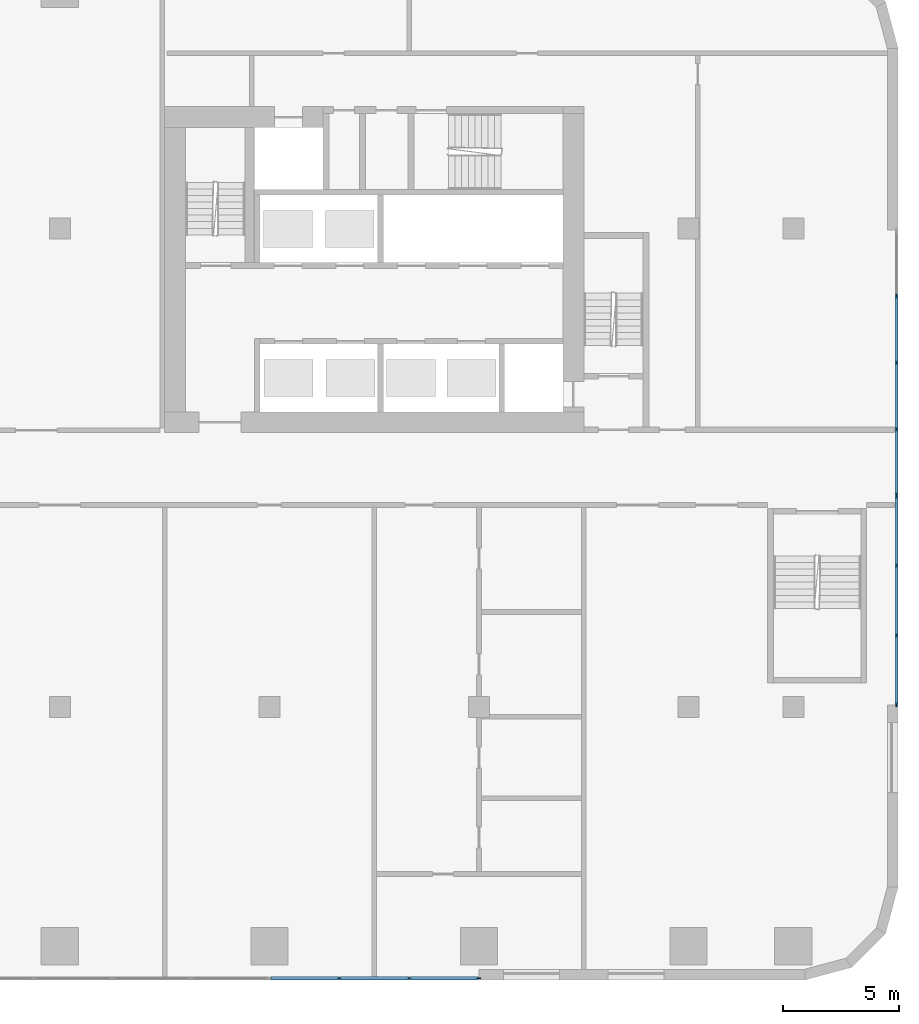
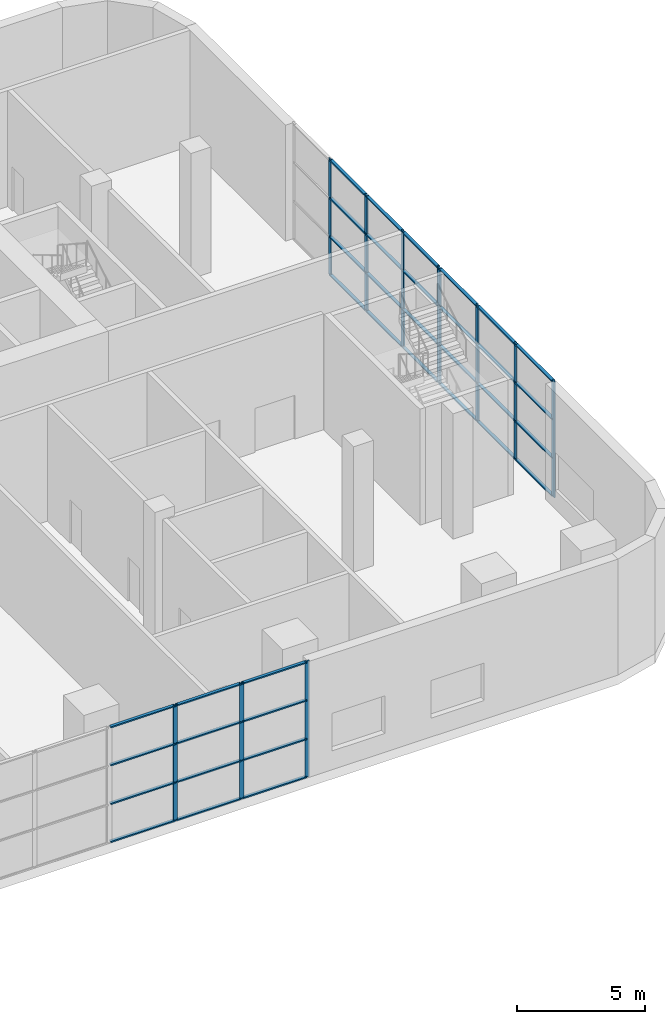
# One storey, part 7 of 27: 47 members, 3 elements without a shape of their own.
"""IFC4 building model written with IfcOpenShell, lengths in metres."""

from ifc_helpers import new_model, si_unit, direction, frame, origin, origin_2d, place, context, subcontext, project, spatial, rectangle, extrude, material, material_profile, profile_set, type_object, element, aggregate, save


model = new_model("IFC4")

# Units and contexts
model_context = context("Model", 3, precision=1e-05, world=origin(), true_north=direction((0.0, 1.0)))
body_context = subcontext(model_context, "Body", "Model", "MODEL_VIEW")
ifc_project = project(units=[si_unit("LENGTHUNIT", "METRE"), si_unit("AREAUNIT", "SQUARE_METRE"), si_unit("VOLUMEUNIT", "CUBIC_METRE"), si_unit("PLANEANGLEUNIT", "RADIAN"), si_unit("MASSUNIT", "GRAM", prefix="KILO")], contexts=[model_context])

# Site, building, storey
site_placement = place(None, origin())
site = spatial("IfcSite", under=ifc_project, at=site_placement, CompositionType="ELEMENT")
building_placement = place(site_placement, origin())
building = spatial("IfcBuilding", under=site, at=building_placement, Name="Kajstack Hotel Tower", CompositionType="ELEMENT")
storey_placement = place(building_placement, frame((0.0, 0.0, 11.0)))
storey = spatial("IfcBuildingStorey", under=building, at=storey_placement, Name="L01", CompositionType="ELEMENT", Elevation=11.0)

# Curtain wall, members
ifc_material_1 = material(Name="Aluminium-framed curtain wall, low-iron glass", Category="aluminium")
curtain_wall_type = type_object("IfcCurtainWallType", Name="CW-LOBBY", PredefinedType="NOTDEFINED", material=ifc_material_1)
curtain_wall_1_placement = place(storey_placement, origin())
curtain_wall_1 = element("IfcCurtainWall", 1, at=curtain_wall_1_placement, inside=storey, type_object=curtain_wall_type, Name="Curtain wall CU1 L01-03-02-3", PredefinedType="NOTDEFINED")
ifc_material_2 = material(Name="Aluminium", Category="aluminium")
ifc_material_profile_1 = material_profile(ifc_material_2, rectangle(XDim=0.06005859375, YDim=0.199951171875, at=origin_2d()), Name="Aluminium mullion 60 x 200")
ifc_profile_set_1 = profile_set([ifc_material_profile_1], Name="Aluminium")
member_type_1 = type_object("IfcMemberType", Name="CW-M-LOBBY", PredefinedType="MULLION", material=ifc_profile_set_1)
member_1_placement = place(storey_placement, frame((21.0, -21.925048828125, 0.0), z_axis=(0.0, 0.0, 1.0), x_axis=(0.0, 1.0, 0.0)))
member_1 = element("IfcMember", 2, at=member_1_placement, type_object=member_type_1, Name="CU1 mullion 2", PredefinedType="MULLION", context=body_context, shape_type="SweptSolid", body=[
    extrude(rectangle(XDim=0.06005859375, YDim=0.199951171875, at=origin_2d()), origin(), (0.0, 0.0, 1.0), 5.550048828125),
])
member_2_placement = place(storey_placement, frame((24.0, -21.925048828125, 0.0), z_axis=(0.0, 0.0, 1.0), x_axis=(0.0, 1.0, 0.0)))
member_2 = element("IfcMember", 3, at=member_2_placement, type_object=member_type_1, Name="CU1 mullion 3", PredefinedType="MULLION", context=body_context, shape_type="SweptSolid", body=[
    extrude(rectangle(XDim=0.06005859375, YDim=0.199951171875, at=origin_2d()), origin(), (0.0, 0.0, 1.0), 5.550048828125),
])
member_3_placement = place(storey_placement, frame((26.969970703125, -21.925048828125, 0.0), z_axis=(0.0, 0.0, 1.0), x_axis=(0.0, 1.0, 0.0)))
member_3 = element("IfcMember", 4, at=member_3_placement, type_object=member_type_1, Name="CU1 mullion 4", PredefinedType="MULLION", context=body_context, shape_type="SweptSolid", body=[
    extrude(rectangle(XDim=0.06005859375, YDim=0.199951171875, at=origin_2d()), origin(), (0.0, 0.0, 1.0), 5.550048828125),
])

curtain_wall_2_placement = place(storey_placement, origin())
curtain_wall_2 = element("IfcCurtainWall", 5, at=curtain_wall_2_placement, inside=storey, type_object=curtain_wall_type, Name="Curtain wall CU1 L01-07-01-0", PredefinedType="NOTDEFINED")
member_4_placement = place(storey_placement, frame((44.925048828125, -10.169921875, 0.0), z_axis=(0.0, 0.0, 1.0), x_axis=(-1.0, 0.0, 0.0)))
member_4 = element("IfcMember", 6, at=member_4_placement, type_object=member_type_1, Name="CU1 mullion 1", PredefinedType="MULLION", context=body_context, shape_type="SweptSolid", body=[
    extrude(rectangle(XDim=0.06005859375, YDim=0.199951171875, at=origin_2d()), origin(), (0.0, 0.0, 1.0), 5.550048828125),
])
member_5_placement = place(storey_placement, frame((44.925048828125, -7.199951171875, 0.0), z_axis=(0.0, 0.0, 1.0), x_axis=(-1.0, 0.0, 0.0)))
member_5 = element("IfcMember", 7, at=member_5_placement, type_object=member_type_1, Name="CU1 mullion 2", PredefinedType="MULLION", context=body_context, shape_type="SweptSolid", body=[
    extrude(rectangle(XDim=0.06005859375, YDim=0.199951171875, at=origin_2d()), origin(), (0.0, 0.0, 1.0), 5.550048828125),
])
member_6_placement = place(storey_placement, frame((44.925048828125, -4.199951171875, 0.0), z_axis=(0.0, 0.0, 1.0), x_axis=(-1.0, 0.0, 0.0)))
member_6 = element("IfcMember", 8, at=member_6_placement, type_object=member_type_1, Name="CU1 mullion 3", PredefinedType="MULLION", context=body_context, shape_type="SweptSolid", body=[
    extrude(rectangle(XDim=0.06005859375, YDim=0.199951171875, at=origin_2d()), origin(), (0.0, 0.0, 1.0), 5.550048828125),
])
member_7_placement = place(storey_placement, frame((44.925048828125, -1.22998046875, 0.0), z_axis=(0.0, 0.0, 1.0), x_axis=(-1.0, 0.0, 0.0)))
member_7 = element("IfcMember", 9, at=member_7_placement, type_object=member_type_1, Name="CU1 mullion 4", PredefinedType="MULLION", context=body_context, shape_type="SweptSolid", body=[
    extrude(rectangle(XDim=0.06005859375, YDim=0.199951171875, at=origin_2d()), origin(), (0.0, 0.0, 1.0), 5.550048828125),
])

curtain_wall_3_placement = place(storey_placement, origin())
curtain_wall_3 = element("IfcCurtainWall", 10, at=curtain_wall_3_placement, inside=storey, type_object=curtain_wall_type, Name="Curtain wall CU1 L01-07-01-1", PredefinedType="NOTDEFINED")
member_8_placement = place(storey_placement, frame((44.925048828125, -1.169921875, 0.0), z_axis=(0.0, 0.0, 1.0), x_axis=(-1.0, 0.0, 0.0)))
member_8 = element("IfcMember", 11, at=member_8_placement, type_object=member_type_1, Name="CU1 mullion 1", PredefinedType="MULLION", context=body_context, shape_type="SweptSolid", body=[
    extrude(rectangle(XDim=0.06005859375, YDim=0.199951171875, at=origin_2d()), origin(), (0.0, 0.0, 1.0), 5.550048828125),
])
member_9_placement = place(storey_placement, frame((44.925048828125, 1.64990234375, 0.0), z_axis=(0.0, 0.0, 1.0), x_axis=(-1.0, 0.0, 0.0)))
member_9 = element("IfcMember", 12, at=member_9_placement, type_object=member_type_1, Name="CU1 mullion 2", PredefinedType="MULLION", context=body_context, shape_type="SweptSolid", body=[
    extrude(rectangle(XDim=0.06005859375, YDim=0.199951171875, at=origin_2d()), origin(), (0.0, 0.0, 1.0), 5.550048828125),
])
member_10_placement = place(storey_placement, frame((44.925048828125, 4.5, 0.0), z_axis=(0.0, 0.0, 1.0), x_axis=(-1.0, 0.0, 0.0)))
member_10 = element("IfcMember", 13, at=member_10_placement, type_object=member_type_1, Name="CU1 mullion 3", PredefinedType="MULLION", context=body_context, shape_type="SweptSolid", body=[
    extrude(rectangle(XDim=0.06005859375, YDim=0.199951171875, at=origin_2d()), origin(), (0.0, 0.0, 1.0), 5.550048828125),
])
member_11_placement = place(storey_placement, frame((44.925048828125, 7.35009765625, 0.0), z_axis=(0.0, 0.0, 1.0), x_axis=(-1.0, 0.0, 0.0)))
member_11 = element("IfcMember", 14, at=member_11_placement, type_object=member_type_1, Name="CU1 mullion 4", PredefinedType="MULLION", context=body_context, shape_type="SweptSolid", body=[
    extrude(rectangle(XDim=0.06005859375, YDim=0.199951171875, at=origin_2d()), origin(), (0.0, 0.0, 1.0), 5.550048828125),
])

# Member
ifc_material_profile_2 = material_profile(ifc_material_2, rectangle(XDim=0.139892578125, YDim=0.06005859375, at=origin_2d()), Name="Aluminium transom 140 x 60")
ifc_profile_set_2 = profile_set([ifc_material_profile_2], Name="Aluminium")
member_type_2 = type_object("IfcMemberType", Name="CW-T-LOBBY", PredefinedType="USERDEFINED", material=ifc_profile_set_2)
member_12_placement = place(storey_placement, frame((18.06005859375, -21.925048828125, 0.030029296875), z_axis=(1.0, 0.0, 0.0), x_axis=(0.0, 1.0, 0.0)))
member_12 = element("IfcMember", 15, at=member_12_placement, type_object=member_type_2, Name="CU1 transom 1.1", ObjectType="TRANSOM", PredefinedType="USERDEFINED", context=body_context, shape_type="SweptSolid", body=[
    extrude(rectangle(XDim=0.139892578125, YDim=0.06005859375, at=origin_2d()), origin(), (0.0, 0.0, 1.0), 2.909912109375),
])

member_13_placement = place(storey_placement, frame((18.06005859375, -21.925048828125, 1.85009765625), z_axis=(1.0, 0.0, 0.0), x_axis=(0.0, 1.0, 0.0)))
member_13 = element("IfcMember", 16, at=member_13_placement, type_object=member_type_2, Name="CU1 transom 1.2", ObjectType="TRANSOM", PredefinedType="USERDEFINED", context=body_context, shape_type="SweptSolid", body=[
    extrude(rectangle(XDim=0.139892578125, YDim=0.06005859375, at=origin_2d()), origin(), (0.0, 0.0, 1.0), 2.909912109375),
])

member_14_placement = place(storey_placement, frame((18.06005859375, -21.925048828125, 3.699951171875), z_axis=(1.0, 0.0, 0.0), x_axis=(0.0, 1.0, 0.0)))
member_14 = element("IfcMember", 17, at=member_14_placement, type_object=member_type_2, Name="CU1 transom 1.3", ObjectType="TRANSOM", PredefinedType="USERDEFINED", context=body_context, shape_type="SweptSolid", body=[
    extrude(rectangle(XDim=0.139892578125, YDim=0.06005859375, at=origin_2d()), origin(), (0.0, 0.0, 1.0), 2.909912109375),
])

member_15_placement = place(storey_placement, frame((18.06005859375, -21.925048828125, 5.52001953125), z_axis=(1.0, 0.0, 0.0), x_axis=(0.0, 1.0, 0.0)))
member_15 = element("IfcMember", 18, at=member_15_placement, type_object=member_type_2, Name="CU1 transom 1.4", ObjectType="TRANSOM", PredefinedType="USERDEFINED", context=body_context, shape_type="SweptSolid", body=[
    extrude(rectangle(XDim=0.139892578125, YDim=0.06005859375, at=origin_2d()), origin(), (0.0, 0.0, 1.0), 2.909912109375),
])

member_16_placement = place(storey_placement, frame((21.030029296875, -21.925048828125, 0.030029296875), z_axis=(1.0, 0.0, 0.0), x_axis=(0.0, 1.0, 0.0)))
member_16 = element("IfcMember", 19, at=member_16_placement, type_object=member_type_2, Name="CU1 transom 2.1", ObjectType="TRANSOM", PredefinedType="USERDEFINED", context=body_context, shape_type="SweptSolid", body=[
    extrude(rectangle(XDim=0.139892578125, YDim=0.06005859375, at=origin_2d()), origin(), (0.0, 0.0, 1.0), 2.93994140625),
])

member_17_placement = place(storey_placement, frame((21.030029296875, -21.925048828125, 1.85009765625), z_axis=(1.0, 0.0, 0.0), x_axis=(0.0, 1.0, 0.0)))
member_17 = element("IfcMember", 20, at=member_17_placement, type_object=member_type_2, Name="CU1 transom 2.2", ObjectType="TRANSOM", PredefinedType="USERDEFINED", context=body_context, shape_type="SweptSolid", body=[
    extrude(rectangle(XDim=0.139892578125, YDim=0.06005859375, at=origin_2d()), origin(), (0.0, 0.0, 1.0), 2.93994140625),
])

member_18_placement = place(storey_placement, frame((21.030029296875, -21.925048828125, 3.699951171875), z_axis=(1.0, 0.0, 0.0), x_axis=(0.0, 1.0, 0.0)))
member_18 = element("IfcMember", 21, at=member_18_placement, type_object=member_type_2, Name="CU1 transom 2.3", ObjectType="TRANSOM", PredefinedType="USERDEFINED", context=body_context, shape_type="SweptSolid", body=[
    extrude(rectangle(XDim=0.139892578125, YDim=0.06005859375, at=origin_2d()), origin(), (0.0, 0.0, 1.0), 2.93994140625),
])

member_19_placement = place(storey_placement, frame((21.030029296875, -21.925048828125, 5.52001953125), z_axis=(1.0, 0.0, 0.0), x_axis=(0.0, 1.0, 0.0)))
member_19 = element("IfcMember", 22, at=member_19_placement, type_object=member_type_2, Name="CU1 transom 2.4", ObjectType="TRANSOM", PredefinedType="USERDEFINED", context=body_context, shape_type="SweptSolid", body=[
    extrude(rectangle(XDim=0.139892578125, YDim=0.06005859375, at=origin_2d()), origin(), (0.0, 0.0, 1.0), 2.93994140625),
])

member_20_placement = place(storey_placement, frame((24.030029296875, -21.925048828125, 0.030029296875), z_axis=(1.0, 0.0, 0.0), x_axis=(0.0, 1.0, 0.0)))
member_20 = element("IfcMember", 23, at=member_20_placement, type_object=member_type_2, Name="CU1 transom 3.1", ObjectType="TRANSOM", PredefinedType="USERDEFINED", context=body_context, shape_type="SweptSolid", body=[
    extrude(rectangle(XDim=0.139892578125, YDim=0.06005859375, at=origin_2d()), origin(), (0.0, 0.0, 1.0), 2.909912109375),
])

member_21_placement = place(storey_placement, frame((24.030029296875, -21.925048828125, 1.85009765625), z_axis=(1.0, 0.0, 0.0), x_axis=(0.0, 1.0, 0.0)))
member_21 = element("IfcMember", 24, at=member_21_placement, type_object=member_type_2, Name="CU1 transom 3.2", ObjectType="TRANSOM", PredefinedType="USERDEFINED", context=body_context, shape_type="SweptSolid", body=[
    extrude(rectangle(XDim=0.139892578125, YDim=0.06005859375, at=origin_2d()), origin(), (0.0, 0.0, 1.0), 2.909912109375),
])

member_22_placement = place(storey_placement, frame((24.030029296875, -21.925048828125, 3.699951171875), z_axis=(1.0, 0.0, 0.0), x_axis=(0.0, 1.0, 0.0)))
member_22 = element("IfcMember", 25, at=member_22_placement, type_object=member_type_2, Name="CU1 transom 3.3", ObjectType="TRANSOM", PredefinedType="USERDEFINED", context=body_context, shape_type="SweptSolid", body=[
    extrude(rectangle(XDim=0.139892578125, YDim=0.06005859375, at=origin_2d()), origin(), (0.0, 0.0, 1.0), 2.909912109375),
])

member_23_placement = place(storey_placement, frame((24.030029296875, -21.925048828125, 5.52001953125), z_axis=(1.0, 0.0, 0.0), x_axis=(0.0, 1.0, 0.0)))
member_23 = element("IfcMember", 26, at=member_23_placement, type_object=member_type_2, Name="CU1 transom 3.4", ObjectType="TRANSOM", PredefinedType="USERDEFINED", context=body_context, shape_type="SweptSolid", body=[
    extrude(rectangle(XDim=0.139892578125, YDim=0.06005859375, at=origin_2d()), origin(), (0.0, 0.0, 1.0), 2.909912109375),
])

aggregate(curtain_wall_1, [member_1, member_2, member_3, member_12, member_13, member_14, member_15, member_16, member_17, member_18, member_19, member_20, member_21, member_22, member_23])

member_24_placement = place(storey_placement, frame((44.925048828125, -10.139892578125, 0.030029296875), z_axis=(0.0, 1.0, 0.0), x_axis=(-1.0, 0.0, 0.0)))
member_24 = element("IfcMember", 27, at=member_24_placement, type_object=member_type_2, Name="CU1 transom 1.1", ObjectType="TRANSOM", PredefinedType="USERDEFINED", context=body_context, shape_type="SweptSolid", body=[
    extrude(rectangle(XDim=0.139892578125, YDim=0.06005859375, at=origin_2d()), origin(), (0.0, 0.0, 1.0), 2.909912109375),
])

member_25_placement = place(storey_placement, frame((44.925048828125, -10.139892578125, 1.85009765625), z_axis=(0.0, 1.0, 0.0), x_axis=(-1.0, 0.0, 0.0)))
member_25 = element("IfcMember", 28, at=member_25_placement, type_object=member_type_2, Name="CU1 transom 1.2", ObjectType="TRANSOM", PredefinedType="USERDEFINED", context=body_context, shape_type="SweptSolid", body=[
    extrude(rectangle(XDim=0.139892578125, YDim=0.06005859375, at=origin_2d()), origin(), (0.0, 0.0, 1.0), 2.909912109375),
])

member_26_placement = place(storey_placement, frame((44.925048828125, -10.139892578125, 3.699951171875), z_axis=(0.0, 1.0, 0.0), x_axis=(-1.0, 0.0, 0.0)))
member_26 = element("IfcMember", 29, at=member_26_placement, type_object=member_type_2, Name="CU1 transom 1.3", ObjectType="TRANSOM", PredefinedType="USERDEFINED", context=body_context, shape_type="SweptSolid", body=[
    extrude(rectangle(XDim=0.139892578125, YDim=0.06005859375, at=origin_2d()), origin(), (0.0, 0.0, 1.0), 2.909912109375),
])

member_27_placement = place(storey_placement, frame((44.925048828125, -10.139892578125, 5.52001953125), z_axis=(0.0, 1.0, 0.0), x_axis=(-1.0, 0.0, 0.0)))
member_27 = element("IfcMember", 30, at=member_27_placement, type_object=member_type_2, Name="CU1 transom 1.4", ObjectType="TRANSOM", PredefinedType="USERDEFINED", context=body_context, shape_type="SweptSolid", body=[
    extrude(rectangle(XDim=0.139892578125, YDim=0.06005859375, at=origin_2d()), origin(), (0.0, 0.0, 1.0), 2.909912109375),
])

member_28_placement = place(storey_placement, frame((44.925048828125, -7.169921875, 0.030029296875), z_axis=(0.0, 1.0, 0.0), x_axis=(-1.0, 0.0, 0.0)))
member_28 = element("IfcMember", 31, at=member_28_placement, type_object=member_type_2, Name="CU1 transom 2.1", ObjectType="TRANSOM", PredefinedType="USERDEFINED", context=body_context, shape_type="SweptSolid", body=[
    extrude(rectangle(XDim=0.139892578125, YDim=0.06005859375, at=origin_2d()), origin(), (0.0, 0.0, 1.0), 2.93994140625),
])

member_29_placement = place(storey_placement, frame((44.925048828125, -7.169921875, 1.85009765625), z_axis=(0.0, 1.0, 0.0), x_axis=(-1.0, 0.0, 0.0)))
member_29 = element("IfcMember", 32, at=member_29_placement, type_object=member_type_2, Name="CU1 transom 2.2", ObjectType="TRANSOM", PredefinedType="USERDEFINED", context=body_context, shape_type="SweptSolid", body=[
    extrude(rectangle(XDim=0.139892578125, YDim=0.06005859375, at=origin_2d()), origin(), (0.0, 0.0, 1.0), 2.93994140625),
])

member_30_placement = place(storey_placement, frame((44.925048828125, -7.169921875, 3.699951171875), z_axis=(0.0, 1.0, 0.0), x_axis=(-1.0, 0.0, 0.0)))
member_30 = element("IfcMember", 33, at=member_30_placement, type_object=member_type_2, Name="CU1 transom 2.3", ObjectType="TRANSOM", PredefinedType="USERDEFINED", context=body_context, shape_type="SweptSolid", body=[
    extrude(rectangle(XDim=0.139892578125, YDim=0.06005859375, at=origin_2d()), origin(), (0.0, 0.0, 1.0), 2.93994140625),
])

member_31_placement = place(storey_placement, frame((44.925048828125, -7.169921875, 5.52001953125), z_axis=(0.0, 1.0, 0.0), x_axis=(-1.0, 0.0, 0.0)))
member_31 = element("IfcMember", 34, at=member_31_placement, type_object=member_type_2, Name="CU1 transom 2.4", ObjectType="TRANSOM", PredefinedType="USERDEFINED", context=body_context, shape_type="SweptSolid", body=[
    extrude(rectangle(XDim=0.139892578125, YDim=0.06005859375, at=origin_2d()), origin(), (0.0, 0.0, 1.0), 2.93994140625),
])

member_32_placement = place(storey_placement, frame((44.925048828125, -4.169921875, 0.030029296875), z_axis=(0.0, 1.0, 0.0), x_axis=(-1.0, 0.0, 0.0)))
member_32 = element("IfcMember", 35, at=member_32_placement, type_object=member_type_2, Name="CU1 transom 3.1", ObjectType="TRANSOM", PredefinedType="USERDEFINED", context=body_context, shape_type="SweptSolid", body=[
    extrude(rectangle(XDim=0.139892578125, YDim=0.06005859375, at=origin_2d()), origin(), (0.0, 0.0, 1.0), 2.909912109375),
])

member_33_placement = place(storey_placement, frame((44.925048828125, -4.169921875, 1.85009765625), z_axis=(0.0, 1.0, 0.0), x_axis=(-1.0, 0.0, 0.0)))
member_33 = element("IfcMember", 36, at=member_33_placement, type_object=member_type_2, Name="CU1 transom 3.2", ObjectType="TRANSOM", PredefinedType="USERDEFINED", context=body_context, shape_type="SweptSolid", body=[
    extrude(rectangle(XDim=0.139892578125, YDim=0.06005859375, at=origin_2d()), origin(), (0.0, 0.0, 1.0), 2.909912109375),
])

member_34_placement = place(storey_placement, frame((44.925048828125, -4.169921875, 3.699951171875), z_axis=(0.0, 1.0, 0.0), x_axis=(-1.0, 0.0, 0.0)))
member_34 = element("IfcMember", 37, at=member_34_placement, type_object=member_type_2, Name="CU1 transom 3.3", ObjectType="TRANSOM", PredefinedType="USERDEFINED", context=body_context, shape_type="SweptSolid", body=[
    extrude(rectangle(XDim=0.139892578125, YDim=0.06005859375, at=origin_2d()), origin(), (0.0, 0.0, 1.0), 2.909912109375),
])

member_35_placement = place(storey_placement, frame((44.925048828125, -4.169921875, 5.52001953125), z_axis=(0.0, 1.0, 0.0), x_axis=(-1.0, 0.0, 0.0)))
member_35 = element("IfcMember", 38, at=member_35_placement, type_object=member_type_2, Name="CU1 transom 3.4", ObjectType="TRANSOM", PredefinedType="USERDEFINED", context=body_context, shape_type="SweptSolid", body=[
    extrude(rectangle(XDim=0.139892578125, YDim=0.06005859375, at=origin_2d()), origin(), (0.0, 0.0, 1.0), 2.909912109375),
])

aggregate(curtain_wall_2, [member_4, member_5, member_6, member_7, member_24, member_25, member_26, member_27, member_28, member_29, member_30, member_31, member_32, member_33, member_34, member_35])

member_36_placement = place(storey_placement, frame((44.925048828125, -1.139892578125, 0.030029296875), z_axis=(0.0, 1.0, 0.0), x_axis=(-1.0, 0.0, 0.0)))
member_36 = element("IfcMember", 39, at=member_36_placement, type_object=member_type_2, Name="CU1 transom 1.1", ObjectType="TRANSOM", PredefinedType="USERDEFINED", context=body_context, shape_type="SweptSolid", body=[
    extrude(rectangle(XDim=0.139892578125, YDim=0.06005859375, at=origin_2d()), origin(), (0.0, 0.0, 1.0), 2.760009765625),
])

member_37_placement = place(storey_placement, frame((44.925048828125, -1.139892578125, 1.85009765625), z_axis=(0.0, 1.0, 0.0), x_axis=(-1.0, 0.0, 0.0)))
member_37 = element("IfcMember", 40, at=member_37_placement, type_object=member_type_2, Name="CU1 transom 1.2", ObjectType="TRANSOM", PredefinedType="USERDEFINED", context=body_context, shape_type="SweptSolid", body=[
    extrude(rectangle(XDim=0.139892578125, YDim=0.06005859375, at=origin_2d()), origin(), (0.0, 0.0, 1.0), 2.760009765625),
])

member_38_placement = place(storey_placement, frame((44.925048828125, -1.139892578125, 3.699951171875), z_axis=(0.0, 1.0, 0.0), x_axis=(-1.0, 0.0, 0.0)))
member_38 = element("IfcMember", 41, at=member_38_placement, type_object=member_type_2, Name="CU1 transom 1.3", ObjectType="TRANSOM", PredefinedType="USERDEFINED", context=body_context, shape_type="SweptSolid", body=[
    extrude(rectangle(XDim=0.139892578125, YDim=0.06005859375, at=origin_2d()), origin(), (0.0, 0.0, 1.0), 2.760009765625),
])

member_39_placement = place(storey_placement, frame((44.925048828125, -1.139892578125, 5.52001953125), z_axis=(0.0, 1.0, 0.0), x_axis=(-1.0, 0.0, 0.0)))
member_39 = element("IfcMember", 42, at=member_39_placement, type_object=member_type_2, Name="CU1 transom 1.4", ObjectType="TRANSOM", PredefinedType="USERDEFINED", context=body_context, shape_type="SweptSolid", body=[
    extrude(rectangle(XDim=0.139892578125, YDim=0.06005859375, at=origin_2d()), origin(), (0.0, 0.0, 1.0), 2.760009765625),
])

member_40_placement = place(storey_placement, frame((44.925048828125, 1.679931640625, 0.030029296875), z_axis=(0.0, 1.0, 0.0), x_axis=(-1.0, 0.0, 0.0)))
member_40 = element("IfcMember", 43, at=member_40_placement, type_object=member_type_2, Name="CU1 transom 2.1", ObjectType="TRANSOM", PredefinedType="USERDEFINED", context=body_context, shape_type="SweptSolid", body=[
    extrude(rectangle(XDim=0.139892578125, YDim=0.06005859375, at=origin_2d()), origin(), (0.0, 0.0, 1.0), 2.7900390625),
])

member_41_placement = place(storey_placement, frame((44.925048828125, 1.679931640625, 1.85009765625), z_axis=(0.0, 1.0, 0.0), x_axis=(-1.0, 0.0, 0.0)))
member_41 = element("IfcMember", 44, at=member_41_placement, type_object=member_type_2, Name="CU1 transom 2.2", ObjectType="TRANSOM", PredefinedType="USERDEFINED", context=body_context, shape_type="SweptSolid", body=[
    extrude(rectangle(XDim=0.139892578125, YDim=0.06005859375, at=origin_2d()), origin(), (0.0, 0.0, 1.0), 2.7900390625),
])

member_42_placement = place(storey_placement, frame((44.925048828125, 1.679931640625, 3.699951171875), z_axis=(0.0, 1.0, 0.0), x_axis=(-1.0, 0.0, 0.0)))
member_42 = element("IfcMember", 45, at=member_42_placement, type_object=member_type_2, Name="CU1 transom 2.3", ObjectType="TRANSOM", PredefinedType="USERDEFINED", context=body_context, shape_type="SweptSolid", body=[
    extrude(rectangle(XDim=0.139892578125, YDim=0.06005859375, at=origin_2d()), origin(), (0.0, 0.0, 1.0), 2.7900390625),
])

member_43_placement = place(storey_placement, frame((44.925048828125, 1.679931640625, 5.52001953125), z_axis=(0.0, 1.0, 0.0), x_axis=(-1.0, 0.0, 0.0)))
member_43 = element("IfcMember", 46, at=member_43_placement, type_object=member_type_2, Name="CU1 transom 2.4", ObjectType="TRANSOM", PredefinedType="USERDEFINED", context=body_context, shape_type="SweptSolid", body=[
    extrude(rectangle(XDim=0.139892578125, YDim=0.06005859375, at=origin_2d()), origin(), (0.0, 0.0, 1.0), 2.7900390625),
])

member_44_placement = place(storey_placement, frame((44.925048828125, 4.530029296875, 0.030029296875), z_axis=(0.0, 1.0, 0.0), x_axis=(-1.0, 0.0, 0.0)))
member_44 = element("IfcMember", 47, at=member_44_placement, type_object=member_type_2, Name="CU1 transom 3.1", ObjectType="TRANSOM", PredefinedType="USERDEFINED", context=body_context, shape_type="SweptSolid", body=[
    extrude(rectangle(XDim=0.139892578125, YDim=0.06005859375, at=origin_2d()), origin(), (0.0, 0.0, 1.0), 2.7900390625),
])

member_45_placement = place(storey_placement, frame((44.925048828125, 4.530029296875, 1.85009765625), z_axis=(0.0, 1.0, 0.0), x_axis=(-1.0, 0.0, 0.0)))
member_45 = element("IfcMember", 48, at=member_45_placement, type_object=member_type_2, Name="CU1 transom 3.2", ObjectType="TRANSOM", PredefinedType="USERDEFINED", context=body_context, shape_type="SweptSolid", body=[
    extrude(rectangle(XDim=0.139892578125, YDim=0.06005859375, at=origin_2d()), origin(), (0.0, 0.0, 1.0), 2.7900390625),
])

member_46_placement = place(storey_placement, frame((44.925048828125, 4.530029296875, 3.699951171875), z_axis=(0.0, 1.0, 0.0), x_axis=(-1.0, 0.0, 0.0)))
member_46 = element("IfcMember", 49, at=member_46_placement, type_object=member_type_2, Name="CU1 transom 3.3", ObjectType="TRANSOM", PredefinedType="USERDEFINED", context=body_context, shape_type="SweptSolid", body=[
    extrude(rectangle(XDim=0.139892578125, YDim=0.06005859375, at=origin_2d()), origin(), (0.0, 0.0, 1.0), 2.7900390625),
])

member_47_placement = place(storey_placement, frame((44.925048828125, 4.530029296875, 5.52001953125), z_axis=(0.0, 1.0, 0.0), x_axis=(-1.0, 0.0, 0.0)))
member_47 = element("IfcMember", 50, at=member_47_placement, type_object=member_type_2, Name="CU1 transom 3.4", ObjectType="TRANSOM", PredefinedType="USERDEFINED", context=body_context, shape_type="SweptSolid", body=[
    extrude(rectangle(XDim=0.139892578125, YDim=0.06005859375, at=origin_2d()), origin(), (0.0, 0.0, 1.0), 2.7900390625),
])

aggregate(curtain_wall_3, [member_8, member_9, member_10, member_11, member_36, member_37, member_38, member_39, member_40, member_41, member_42, member_43, member_44, member_45, member_46, member_47])

save(model, "model.ifc")
